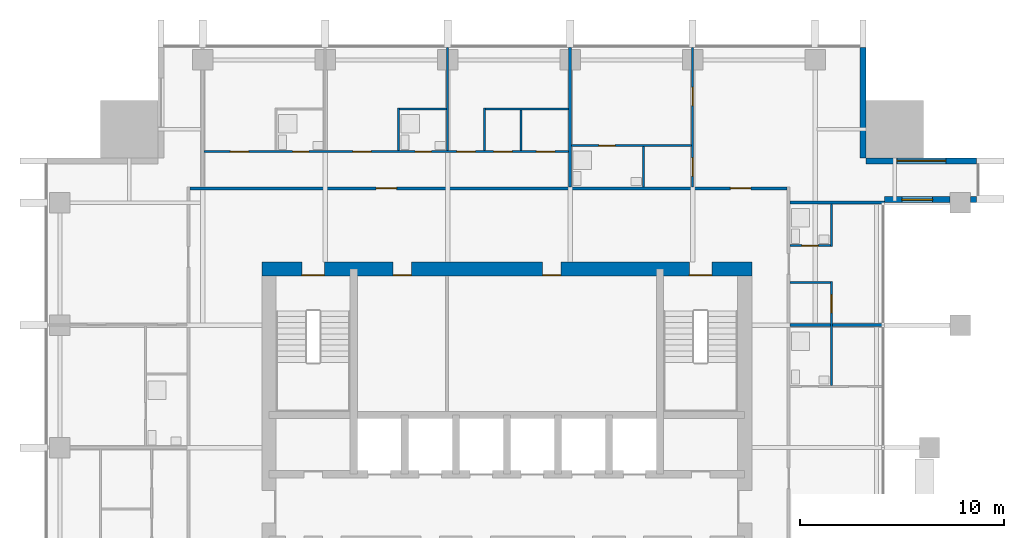
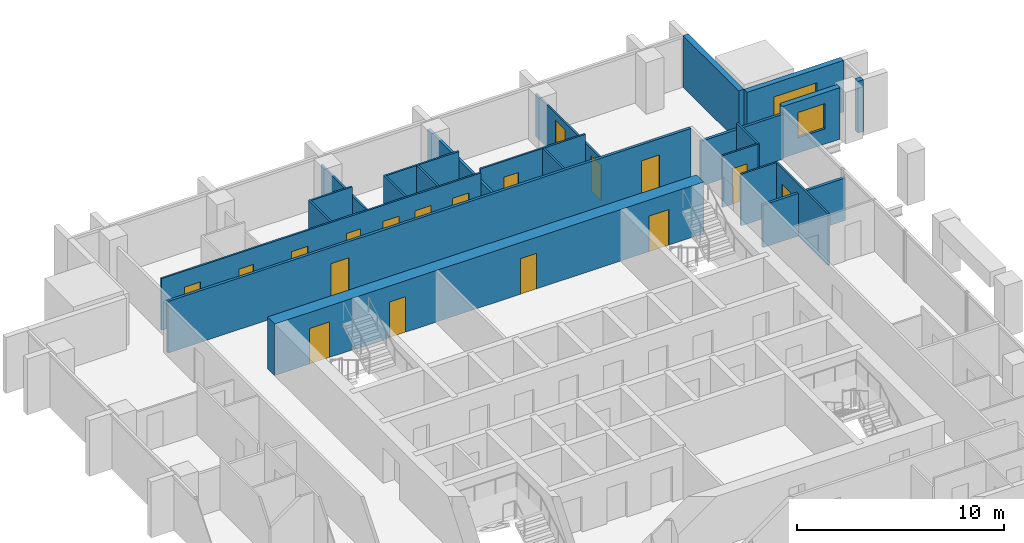
# One storey, part 11 of 14: 23 walls, 18 doors, 2 windows, 20 openings.
"""IFC4 building model written with IfcOpenShell, lengths in metres."""

from ifc_helpers import new_model, si_unit, direction, frame, frame_2d, origin, place, context, subcontext, project, spatial, rectangle, extrude, material, layer, layer_set, type_object, element, fill, save


model = new_model("IFC4")

# Units and contexts
model_context = context("Model", 3, precision=1e-05, world=origin(), true_north=direction((0.0, 1.0)))
body_context = subcontext(model_context, "Body", "Model", "MODEL_VIEW")
ifc_project = project(units=[si_unit("LENGTHUNIT", "METRE"), si_unit("AREAUNIT", "SQUARE_METRE"), si_unit("VOLUMEUNIT", "CUBIC_METRE"), si_unit("PLANEANGLEUNIT", "RADIAN"), si_unit("MASSUNIT", "GRAM", prefix="KILO")], contexts=[model_context])

# Site, building, storey
site_placement = place(None, origin())
site = spatial("IfcSite", under=ifc_project, at=site_placement, CompositionType="ELEMENT")
building_placement = place(site_placement, origin())
building = spatial("IfcBuilding", under=site, at=building_placement, Name="Amberfall Residences", CompositionType="ELEMENT")
storey_placement = place(building_placement, frame((0.0, 0.0, 168.10009765625)))
storey = spatial("IfcBuildingStorey", under=building, at=storey_placement, Name="L45", CompositionType="ELEMENT", Elevation=168.10009765625)

# Wall, opening, window
ifc_material_1 = material(Name="Pale stone cladding on insulated backing", Category="masonry")
ifc_layer_1 = layer(ifc_material_1, 0.300048828125)
ifc_layer_set_1 = layer_set([ifc_layer_1], Name="Bronze clad wall 300")
wall_type_1 = type_object("IfcWallType", Name="Bronze clad wall 300", PredefinedType="SOLIDWALL", material=ifc_layer_set_1)
wall_1_placement = place(storey_placement, frame((93.0, 60.550048828125, 0.0), z_axis=(0.0, 0.0, 1.0), x_axis=(1.0, 0.0, 0.0)))
wall_1 = element("IfcWall", 1, at=wall_1_placement, inside=storey, type_object=wall_type_1, Name="External wall L45 E", PredefinedType="SOLIDWALL", context=body_context, shape_type="SweptSolid", body=[
    extrude(rectangle(XDim=3.199951171875, YDim=0.300048828125, at=frame_2d((1.60009765625, 0.0))), origin(), (0.0, 0.0, 1.0), 3.0498046875),
])
opening_1_placement = place(wall_1_placement, frame((0.85009765625, 0.0, 0.89990234375)))
opening_1 = element("IfcOpeningElement", 2, at=opening_1_placement, cuts=wall_1, Name="Opening WN1", PredefinedType="OPENING", context=body_context, shape_type="SweptSolid", body=[
    extrude(rectangle(XDim=1.5, YDim=1.5, at=frame_2d((0.75, 0.75))), frame((0.0, 0.159912109375, 0.0), z_axis=(0.0, -1.0, 0.0), x_axis=(1.0, 0.0, 0.0)), (0.0, 0.0, 1.0), 0.320068359375),
])
ifc_material_2 = material(Name="Bronze aluminium framed glazing", Category="aluminium")
window_type_1 = type_object("IfcWindowType", Name="Window 1500 x 1500 bronze", PartitioningType="DOUBLE_PANEL_VERTICAL", PredefinedType="WINDOW", material=ifc_material_2)
window_1_placement = place(opening_1_placement, origin())
window_1 = element("IfcWindow", 3, at=window_1_placement, inside=storey, type_object=window_type_1, Name="Window L45 E", OverallHeight=1.5, OverallWidth=1.5, PartitioningType="DOUBLE_PANEL_VERTICAL", PredefinedType="WINDOW", context=body_context, shape_type="SweptSolid", body=[
    extrude(rectangle(XDim=1.5, YDim=1.5, at=frame_2d((0.75, 0.75))), frame((0.0, 0.030029296875, 0.0), z_axis=(0.0, -1.0, 0.0), x_axis=(1.0, 0.0, 0.0)), (0.0, 0.0, 1.0), 0.06005859375),
])
fill(opening_1, window_1)

# Wall
wall_2_placement = place(storey_placement, frame((97.199951171875, 60.550048828125, 0.0), z_axis=(0.0, 0.0, 1.0), x_axis=(1.0, 0.0, 0.0)))
element("IfcWall", 4, at=wall_2_placement, inside=storey, type_object=wall_type_1, Name="External wall L45 E", PredefinedType="SOLIDWALL", context=body_context, shape_type="SweptSolid", body=[
    extrude(rectangle(XDim=0.300048828125, YDim=0.300048828125, at=frame_2d((0.14990234375, 0.0))), origin(), (0.0, 0.0, 1.0), 3.0498046875),
])

# Wall, opening, window
wall_3_placement = place(storey_placement, frame((97.5, 62.449951171875, 0.0), z_axis=(0.0, 0.0, 1.0), x_axis=(-1.0, 0.0, 0.0)))
wall_3 = element("IfcWall", 5, at=wall_3_placement, inside=storey, type_object=wall_type_1, Name="External wall L45 NE", PredefinedType="SOLIDWALL", context=body_context, shape_type="SweptSolid", body=[
    extrude(rectangle(XDim=5.39990234375, YDim=0.300048828125, at=frame_2d((2.699951171875, 0.0))), origin(), (0.0, 0.0, 1.0), 3.0498046875),
])
opening_2_placement = place(wall_3_placement, frame((1.5, 0.0, 0.14990234375)))
opening_2 = element("IfcOpeningElement", 6, at=opening_2_placement, cuts=wall_3, Name="Opening WN5", PredefinedType="OPENING", context=body_context, shape_type="SweptSolid", body=[
    extrude(rectangle(XDim=2.39990234375, YDim=2.10009765625, at=frame_2d((1.199951171875, 1.050048828125))), frame((0.0, 0.159912109375, 0.0), z_axis=(0.0, -1.0, 0.0), x_axis=(1.0, 0.0, 0.0)), (0.0, 0.0, 1.0), 0.320068359375),
])
window_type_2 = type_object("IfcWindowType", Name="Glazed opening 2400 x 2100 bronze", PartitioningType="DOUBLE_PANEL_VERTICAL", PredefinedType="WINDOW", material=ifc_material_2)
window_2_placement = place(opening_2_placement, origin())
window_2 = element("IfcWindow", 7, at=window_2_placement, inside=storey, type_object=window_type_2, Name="Window L45 NE", OverallHeight=2.10009765625, OverallWidth=2.39990234375, PartitioningType="DOUBLE_PANEL_VERTICAL", PredefinedType="WINDOW", context=body_context, shape_type="SweptSolid", body=[
    extrude(rectangle(XDim=2.39990234375, YDim=2.10009765625, at=frame_2d((1.199951171875, 1.050048828125))), frame((0.0, 0.030029296875, 0.0), z_axis=(0.0, -1.0, 0.0), x_axis=(1.0, 0.0, 0.0)), (0.0, 0.0, 1.0), 0.06005859375),
])
fill(opening_2, window_2)

# Wall
wall_4_placement = place(storey_placement, frame((91.949951171875, 62.60009765625, 0.0), z_axis=(0.0, 0.0, 1.0), x_axis=(0.0, 1.0, 0.0)))
element("IfcWall", 8, at=wall_4_placement, inside=storey, type_object=wall_type_1, Name="External wall L45 NE", PredefinedType="SOLIDWALL", context=body_context, shape_type="SweptSolid", body=[
    extrude(rectangle(XDim=5.39990234375, YDim=0.300048828125, at=frame_2d((2.699951171875, 0.0))), origin(), (0.0, 0.0, 1.0), 3.0498046875),
])

# Wall, openings, doors
ifc_material_3 = material(Name="Concrete C60", Category="concrete")
ifc_layer_2 = layer(ifc_material_3, 0.699951171875)
ifc_layer_set_2 = layer_set([ifc_layer_2], Name="Core wall 700 C60")
wall_type_2 = type_object("IfcWallType", Name="Core wall 700 C60", PredefinedType="SHEAR", material=ifc_layer_set_2)
wall_5_placement = place(storey_placement, frame((62.5, 57.14990234375, 0.0), z_axis=(0.0, 0.0, 1.0), x_axis=(1.0, 0.0, 0.0)))
wall_5 = element("IfcWall", 9, at=wall_5_placement, inside=storey, type_object=wall_type_2, Name="Core wall RW5 L45 ON", PredefinedType="SHEAR", context=body_context, shape_type="SweptSolid", body=[
    extrude(rectangle(XDim=24.0, YDim=0.699951171875, at=frame_2d((12.0, 0.0))), origin(), (0.0, 0.0, 1.0), 3.0498046875),
])
opening_3_placement = place(wall_5_placement, frame((20.9375, 0.0, 0.0)))
opening_3 = element("IfcOpeningElement", 10, at=opening_3_placement, cuts=wall_5, Name="Opening SD1", PredefinedType="OPENING", context=body_context, shape_type="SweptSolid", body=[
    extrude(rectangle(XDim=1.10009765625, YDim=2.10009765625, at=frame_2d((0.550048828125, 1.050048828125))), frame((0.0, 0.35986328125, 0.0), z_axis=(0.0, -1.0, 0.0), x_axis=(1.0, 0.0, 0.0)), (0.0, 0.0, 1.0), 0.719970703125),
])
opening_4_placement = place(wall_5_placement, frame((1.96240234375, 0.0, 0.0)))
opening_4 = element("IfcOpeningElement", 11, at=opening_4_placement, cuts=wall_5, Name="Opening SD1", PredefinedType="OPENING", context=body_context, shape_type="SweptSolid", body=[
    extrude(rectangle(XDim=1.10009765625, YDim=2.10009765625, at=frame_2d((0.550048828125, 1.050048828125))), frame((0.0, 0.35986328125, 0.0), z_axis=(0.0, -1.0, 0.0), x_axis=(1.0, 0.0, 0.0)), (0.0, 0.0, 1.0), 0.719970703125),
])
opening_5_placement = place(wall_5_placement, frame((6.422607421875, 0.0, 0.0)))
opening_5 = element("IfcOpeningElement", 12, at=opening_5_placement, cuts=wall_5, Name="Opening RD1", PredefinedType="OPENING", context=body_context, shape_type="SweptSolid", body=[
    extrude(rectangle(XDim=0.89990234375, YDim=2.10009765625, at=frame_2d((0.449951171875, 1.050048828125))), frame((0.0, 0.35986328125, 0.0), z_axis=(0.0, -1.0, 0.0), x_axis=(1.0, 0.0, 0.0)), (0.0, 0.0, 1.0), 0.719970703125),
])
opening_6_placement = place(wall_5_placement, frame((13.74755859375, 0.0, 0.0)))
opening_6 = element("IfcOpeningElement", 13, at=opening_6_placement, cuts=wall_5, Name="Opening RD1", PredefinedType="OPENING", context=body_context, shape_type="SweptSolid", body=[
    extrude(rectangle(XDim=0.89990234375, YDim=2.10009765625, at=frame_2d((0.449951171875, 1.050048828125))), frame((0.0, 0.35986328125, 0.0), z_axis=(0.0, -1.0, 0.0), x_axis=(1.0, 0.0, 0.0)), (0.0, 0.0, 1.0), 0.719970703125),
])
ifc_material_4 = material(Name="Steel fire door set", Category="steel")
door_type_1 = type_object("IfcDoorType", Name="Service room door 900 x 2100", OperationType="SINGLE_SWING_LEFT", PredefinedType="DOOR", material=ifc_material_4)
door_1_placement = place(opening_5_placement, origin())
door_1 = element("IfcDoor", 14, at=door_1_placement, inside=storey, type_object=door_type_1, Name="RD1 L45", OperationType="SINGLE_SWING_RIGHT", OverallHeight=2.10009765625, OverallWidth=0.89990234375, PredefinedType="DOOR", context=body_context, shape_type="SweptSolid", body=[
    extrude(rectangle(XDim=0.89990234375, YDim=2.10009765625, at=frame_2d((0.449951171875, 1.050048828125))), frame((0.0, -0.28759765625, 0.0), z_axis=(0.0, -1.0, 0.0), x_axis=(1.0, 0.0, 0.0)), (0.0, 0.0, 1.0), 0.050048828125),
])
fill(opening_5, door_1)
door_2_placement = place(opening_6_placement, origin())
door_2 = element("IfcDoor", 15, at=door_2_placement, inside=storey, type_object=door_type_1, Name="RD1 L45", OperationType="SINGLE_SWING_RIGHT", OverallHeight=2.10009765625, OverallWidth=0.89990234375, PredefinedType="DOOR", context=body_context, shape_type="SweptSolid", body=[
    extrude(rectangle(XDim=0.89990234375, YDim=2.10009765625, at=frame_2d((0.449951171875, 1.050048828125))), frame((0.0, -0.28759765625, 0.0), z_axis=(0.0, -1.0, 0.0), x_axis=(1.0, 0.0, 0.0)), (0.0, 0.0, 1.0), 0.050048828125),
])
fill(opening_6, door_2)
door_type_2 = type_object("IfcDoorType", Name="Stair door 1100 x 2100", OperationType="SINGLE_SWING_LEFT", PredefinedType="DOOR", material=ifc_material_4)
door_3_placement = place(opening_3_placement, origin())
door_3 = element("IfcDoor", 16, at=door_3_placement, inside=storey, type_object=door_type_2, Name="SD1 L45", OperationType="SINGLE_SWING_RIGHT", OverallHeight=2.10009765625, OverallWidth=1.10009765625, PredefinedType="DOOR", context=body_context, shape_type="SweptSolid", body=[
    extrude(rectangle(XDim=1.10009765625, YDim=2.10009765625, at=frame_2d((0.550048828125, 1.050048828125))), frame((0.0, -0.28759765625, 0.0), z_axis=(0.0, -1.0, 0.0), x_axis=(1.0, 0.0, 0.0)), (0.0, 0.0, 1.0), 0.050048828125),
])
fill(opening_3, door_3)
door_4_placement = place(opening_4_placement, origin())
door_4 = element("IfcDoor", 17, at=door_4_placement, inside=storey, type_object=door_type_2, Name="SD1 L45", OperationType="SINGLE_SWING_LEFT", OverallHeight=2.10009765625, OverallWidth=1.10009765625, PredefinedType="DOOR", context=body_context, shape_type="SweptSolid", body=[
    extrude(rectangle(XDim=1.10009765625, YDim=2.10009765625, at=frame_2d((0.550048828125, 1.050048828125))), frame((0.0, -0.28759765625, 0.0), z_axis=(0.0, -1.0, 0.0), x_axis=(1.0, 0.0, 0.0)), (0.0, 0.0, 1.0), 0.050048828125),
])
fill(opening_4, door_4)

# Walls
ifc_material_5 = material(Name="Gypsum board on metal stud")
ifc_layer_3 = layer(ifc_material_5, 0.10009765625)
ifc_layer_set_3 = layer_set([ifc_layer_3], Name="Flat partition 100")
wall_type_3 = type_object("IfcWallType", Name="Flat partition 100", PredefinedType="PARTITIONING", material=ifc_layer_set_3)
wall_6_placement = place(storey_placement, frame((69.199951171875, 62.949951171875, 0.0), z_axis=(0.0, 0.0, 1.0), x_axis=(0.0, 1.0, 0.0)))
element("IfcWall", 18, at=wall_6_placement, inside=storey, type_object=wall_type_3, Name="Partition 009", PredefinedType="PARTITIONING", context=body_context, shape_type="SweptSolid", body=[
    extrude(rectangle(XDim=2.10009765625, YDim=0.10009765625, at=frame_2d((1.050048828125, 0.0))), origin(), (0.0, 0.0, 1.0), 3.0498046875),
])
wall_7_placement = place(storey_placement, frame((71.60009765625, 62.949951171875, 0.0), z_axis=(0.0, 0.0, 1.0), x_axis=(0.0, 1.0, 0.0)))
element("IfcWall", 19, at=wall_7_placement, inside=storey, type_object=wall_type_3, Name="Partition 011", PredefinedType="PARTITIONING", context=body_context, shape_type="SweptSolid", body=[
    extrude(rectangle(XDim=5.050048828125, YDim=0.10009765625, at=frame_2d((2.52490234375, 0.0))), origin(), (0.0, 0.0, 1.0), 2.515869140625),
])
wall_8_placement = place(storey_placement, frame((73.39990234375, 62.949951171875, 0.0), z_axis=(0.0, 0.0, 1.0), x_axis=(0.0, 1.0, 0.0)))
element("IfcWall", 20, at=wall_8_placement, inside=storey, type_object=wall_type_3, Name="Partition 012", PredefinedType="PARTITIONING", context=body_context, shape_type="SweptSolid", body=[
    extrude(rectangle(XDim=2.10009765625, YDim=0.10009765625, at=frame_2d((1.050048828125, 0.0))), origin(), (0.0, 0.0, 1.0), 3.0498046875),
])
wall_9_placement = place(storey_placement, frame((75.199951171875, 62.949951171875, 0.0), z_axis=(0.0, 0.0, 1.0), x_axis=(0.0, 1.0, 0.0)))
element("IfcWall", 21, at=wall_9_placement, inside=storey, type_object=wall_type_3, Name="Partition 014", PredefinedType="PARTITIONING", context=body_context, shape_type="SweptSolid", body=[
    extrude(rectangle(XDim=2.0, YDim=0.10009765625, at=frame_2d((1.0, 0.0))), origin(), (0.0, 0.0, 1.0), 3.0498046875),
])
wall_10_placement = place(storey_placement, frame((81.199951171875, 61.175048828125, 0.0), z_axis=(0.0, 0.0, 1.0), x_axis=(0.0, 1.0, 0.0)))
element("IfcWall", 22, at=wall_10_placement, inside=storey, type_object=wall_type_3, Name="Partition 015", PredefinedType="PARTITIONING", context=body_context, shape_type="SweptSolid", body=[
    extrude(rectangle(XDim=1.974853515625, YDim=0.10009765625, at=frame_2d((0.9873046875, 0.0))), origin(), (0.0, 0.0, 1.0), 3.0498046875),
])

# Wall, openings, doors
wall_11_placement = place(storey_placement, frame((83.60009765625, 61.175048828125, 0.0), z_axis=(0.0, 0.0, 1.0), x_axis=(0.0, 1.0, 0.0)))
wall_11 = element("IfcWall", 23, at=wall_11_placement, inside=storey, type_object=wall_type_3, Name="Partition 017", PredefinedType="PARTITIONING", context=body_context, shape_type="SweptSolid", body=[
    extrude(rectangle(XDim=6.824951171875, YDim=0.10009765625, at=frame_2d((3.41259765625, 0.0))), origin(), (0.0, 0.0, 1.0), 2.515869140625),
])
opening_7_placement = place(wall_11_placement, frame((0.52490234375, 0.0, 0.0)))
opening_7 = element("IfcOpeningElement", 24, at=opening_7_placement, cuts=wall_11, Name="Opening D41", PredefinedType="OPENING", context=body_context, shape_type="SweptSolid", body=[
    extrude(rectangle(XDim=0.89990234375, YDim=2.10009765625, at=frame_2d((0.449951171875, 1.050048828125))), frame((0.0, 0.06005859375, 0.0), z_axis=(0.0, -1.0, 0.0), x_axis=(1.0, 0.0, 0.0)), (0.0, 0.0, 1.0), 0.1201171875),
])
opening_8_placement = place(wall_11_placement, frame((3.97509765625, 0.0, 0.0)))
opening_8 = element("IfcOpeningElement", 25, at=opening_8_placement, cuts=wall_11, Name="Opening D41", PredefinedType="OPENING", context=body_context, shape_type="SweptSolid", body=[
    extrude(rectangle(XDim=0.89990234375, YDim=2.10009765625, at=frame_2d((0.449951171875, 1.050048828125))), frame((0.0, 0.06005859375, 0.0), z_axis=(0.0, -1.0, 0.0), x_axis=(1.0, 0.0, 0.0)), (0.0, 0.0, 1.0), 0.1201171875),
])
ifc_material_6 = material(Name="Timber", Category="wood")
door_type_3 = type_object("IfcDoorType", Name="Internal door 900 x 2100", OperationType="SINGLE_SWING_LEFT", PredefinedType="DOOR", material=ifc_material_6)
door_5_placement = place(opening_7_placement, origin())
door_5 = element("IfcDoor", 26, at=door_5_placement, inside=storey, type_object=door_type_3, Name="Door 4507 kitchen", OperationType="SINGLE_SWING_LEFT", OverallHeight=2.10009765625, OverallWidth=0.89990234375, PredefinedType="DOOR", context=body_context, shape_type="SweptSolid", body=[
    extrude(rectangle(XDim=0.89990234375, YDim=2.10009765625, at=frame_2d((0.449951171875, 1.050048828125))), frame((0.0, 0.02490234375, 0.0), z_axis=(0.0, -1.0, 0.0), x_axis=(1.0, 0.0, 0.0)), (0.0, 0.0, 1.0), 0.050048828125),
])
fill(opening_7, door_5)
door_6_placement = place(opening_8_placement, origin())
door_6 = element("IfcDoor", 27, at=door_6_placement, inside=storey, type_object=door_type_3, Name="Door 4507 bedroom1", OperationType="SINGLE_SWING_LEFT", OverallHeight=2.10009765625, OverallWidth=0.89990234375, PredefinedType="DOOR", context=body_context, shape_type="SweptSolid", body=[
    extrude(rectangle(XDim=0.89990234375, YDim=2.10009765625, at=frame_2d((0.449951171875, 1.050048828125))), frame((0.0, 0.02490234375, 0.0), z_axis=(0.0, -1.0, 0.0), x_axis=(1.0, 0.0, 0.0)), (0.0, 0.0, 1.0), 0.050048828125),
])
fill(opening_8, door_6)

# Wall, opening, door
wall_12_placement = place(storey_placement, frame((90.39990234375, 51.449951171875, 0.0), z_axis=(0.0, 0.0, 1.0), x_axis=(0.0, 1.0, 0.0)))
wall_12 = element("IfcWall", 28, at=wall_12_placement, inside=storey, type_object=wall_type_3, Name="Partition 020", PredefinedType="PARTITIONING", context=body_context, shape_type="SweptSolid", body=[
    extrude(rectangle(XDim=5.10009765625, YDim=0.10009765625, at=frame_2d((2.550048828125, 0.0))), origin(), (0.0, 0.0, 1.0), 3.0498046875),
])
opening_9_placement = place(wall_12_placement, frame((3.550048828125, 0.0, 0.0)))
opening_9 = element("IfcOpeningElement", 29, at=opening_9_placement, cuts=wall_12, Name="Opening D41", PredefinedType="OPENING", context=body_context, shape_type="SweptSolid", body=[
    extrude(rectangle(XDim=0.89990234375, YDim=2.10009765625, at=frame_2d((0.449951171875, 1.050048828125))), frame((0.0, 0.06005859375, 0.0), z_axis=(0.0, -1.0, 0.0), x_axis=(1.0, 0.0, 0.0)), (0.0, 0.0, 1.0), 0.1201171875),
])
door_7_placement = place(opening_9_placement, origin())
door_7 = element("IfcDoor", 30, at=door_7_placement, inside=storey, type_object=door_type_3, Name="Door 4505 kitchen", OperationType="SINGLE_SWING_LEFT", OverallHeight=2.10009765625, OverallWidth=0.89990234375, PredefinedType="DOOR", context=body_context, shape_type="SweptSolid", body=[
    extrude(rectangle(XDim=0.89990234375, YDim=2.10009765625, at=frame_2d((0.449951171875, 1.050048828125))), frame((0.0, 0.02490234375, 0.0), z_axis=(0.0, -1.0, 0.0), x_axis=(1.0, 0.0, 0.0)), (0.0, 0.0, 1.0), 0.050048828125),
])
fill(opening_9, door_7)

# Walls
wall_13_placement = place(storey_placement, frame((90.39990234375, 58.25, 0.0), z_axis=(0.0, 0.0, 1.0), x_axis=(0.0, 1.0, 0.0)))
element("IfcWall", 31, at=wall_13_placement, inside=storey, type_object=wall_type_3, Name="Partition 021", PredefinedType="PARTITIONING", context=body_context, shape_type="SweptSolid", body=[
    extrude(rectangle(XDim=2.074951171875, YDim=0.10009765625, at=frame_2d((1.03759765625, 0.0))), origin(), (0.0, 0.0, 1.0), 3.0498046875),
])
wall_14_placement = place(storey_placement, frame((69.25, 65.0, 0.0), z_axis=(0.0, 0.0, 1.0), x_axis=(1.0, 0.0, 0.0)))
element("IfcWall", 32, at=wall_14_placement, inside=storey, type_object=wall_type_3, Name="Partition 023", PredefinedType="PARTITIONING", context=body_context, shape_type="SweptSolid", body=[
    extrude(rectangle(XDim=2.300048828125, YDim=0.10009765625, at=frame_2d((1.14990234375, 0.0))), origin(), (0.0, 0.0, 1.0), 3.0498046875),
])
wall_15_placement = place(storey_placement, frame((73.449951171875, 65.0, 0.0), z_axis=(0.0, 0.0, 1.0), x_axis=(1.0, 0.0, 0.0)))
element("IfcWall", 33, at=wall_15_placement, inside=storey, type_object=wall_type_3, Name="Partition 024", PredefinedType="PARTITIONING", context=body_context, shape_type="SweptSolid", body=[
    extrude(rectangle(XDim=4.074951171875, YDim=0.10009765625, at=frame_2d((2.03759765625, 0.0))), origin(), (0.0, 0.0, 1.0), 3.0498046875),
])

# Wall, opening, door
wall_16_placement = place(storey_placement, frame((83.550048828125, 63.199951171875, 0.0), z_axis=(0.0, 0.0, 1.0), x_axis=(-1.0, 0.0, 0.0)))
wall_16 = element("IfcWall", 34, at=wall_16_placement, inside=storey, type_object=wall_type_3, Name="Partition 025", PredefinedType="PARTITIONING", context=body_context, shape_type="SweptSolid", body=[
    extrude(rectangle(XDim=5.875, YDim=0.10009765625, at=frame_2d((2.9375, 0.0))), origin(), (0.0, 0.0, 1.0), 3.0498046875),
])
opening_10_placement = place(wall_16_placement, frame((3.75, 0.0, 0.0)))
opening_10 = element("IfcOpeningElement", 35, at=opening_10_placement, cuts=wall_16, Name="Opening D42", PredefinedType="OPENING", context=body_context, shape_type="SweptSolid", body=[
    extrude(rectangle(XDim=0.800048828125, YDim=2.10009765625, at=frame_2d((0.39990234375, 1.050048828125))), frame((0.0, 0.06005859375, 0.0), z_axis=(0.0, -1.0, 0.0), x_axis=(1.0, 0.0, 0.0)), (0.0, 0.0, 1.0), 0.1201171875),
])
door_type_4 = type_object("IfcDoorType", Name="Bathroom door 800 x 2100", OperationType="SINGLE_SWING_LEFT", PredefinedType="DOOR", material=ifc_material_6)
door_8_placement = place(opening_10_placement, origin())
door_8 = element("IfcDoor", 36, at=door_8_placement, inside=storey, type_object=door_type_4, Name="Door 4507 bath1", OperationType="SINGLE_SWING_LEFT", OverallHeight=2.10009765625, OverallWidth=0.800048828125, PredefinedType="DOOR", context=body_context, shape_type="SweptSolid", body=[
    extrude(rectangle(XDim=0.800048828125, YDim=2.10009765625, at=frame_2d((0.39990234375, 1.050048828125))), frame((0.0, 0.02490234375, 0.0), z_axis=(0.0, -1.0, 0.0), x_axis=(1.0, 0.0, 0.0)), (0.0, 0.0, 1.0), 0.050048828125),
])
fill(opening_10, door_8)

# Wall, openings, doors
wall_17_placement = place(storey_placement, frame((59.675048828125, 62.89990234375, 0.0), z_axis=(0.0, 0.0, 1.0), x_axis=(1.0, 0.0, 0.0)))
wall_17 = element("IfcWall", 37, at=wall_17_placement, inside=storey, type_object=wall_type_3, Name="Partition 026", PredefinedType="PARTITIONING", context=body_context, shape_type="SweptSolid", body=[
    extrude(rectangle(XDim=17.849853515625, YDim=0.10009765625, at=frame_2d((8.9248046875, 0.0))), origin(), (0.0, 0.0, 1.0), 3.0498046875),
])
opening_11_placement = place(wall_17_placement, frame((12.375, 0.0, 0.0)))
opening_11 = element("IfcOpeningElement", 38, at=opening_11_placement, cuts=wall_17, Name="Opening D41", PredefinedType="OPENING", context=body_context, shape_type="SweptSolid", body=[
    extrude(rectangle(XDim=0.89990234375, YDim=2.10009765625, at=frame_2d((0.449951171875, 1.050048828125))), frame((0.0, 0.06005859375, 0.0), z_axis=(0.0, -1.0, 0.0), x_axis=(1.0, 0.0, 0.0)), (0.0, 0.0, 1.0), 0.1201171875),
])
opening_12_placement = place(wall_17_placement, frame((16.27490234375, 0.0, 0.0)))
opening_12 = element("IfcOpeningElement", 39, at=opening_12_placement, cuts=wall_17, Name="Opening D41", PredefinedType="OPENING", context=body_context, shape_type="SweptSolid", body=[
    extrude(rectangle(XDim=0.89990234375, YDim=2.10009765625, at=frame_2d((0.449951171875, 1.050048828125))), frame((0.0, 0.06005859375, 0.0), z_axis=(0.0, -1.0, 0.0), x_axis=(1.0, 0.0, 0.0)), (0.0, 0.0, 1.0), 0.1201171875),
])
opening_13_placement = place(wall_17_placement, frame((14.175048828125, 0.0, 0.0)))
opening_13 = element("IfcOpeningElement", 40, at=opening_13_placement, cuts=wall_17, Name="Opening D41", PredefinedType="OPENING", context=body_context, shape_type="SweptSolid", body=[
    extrude(rectangle(XDim=0.89990234375, YDim=2.10009765625, at=frame_2d((0.449951171875, 1.050048828125))), frame((0.0, 0.06005859375, 0.0), z_axis=(0.0, -1.0, 0.0), x_axis=(1.0, 0.0, 0.0)), (0.0, 0.0, 1.0), 0.1201171875),
])
opening_14_placement = place(wall_17_placement, frame((1.27490234375, 0.0, 0.0)))
opening_14 = element("IfcOpeningElement", 41, at=opening_14_placement, cuts=wall_17, Name="Opening D41", PredefinedType="OPENING", context=body_context, shape_type="SweptSolid", body=[
    extrude(rectangle(XDim=0.89990234375, YDim=2.10009765625, at=frame_2d((0.449951171875, 1.050048828125))), frame((0.0, 0.06005859375, 0.0), z_axis=(0.0, -1.0, 0.0), x_axis=(1.0, 0.0, 0.0)), (0.0, 0.0, 1.0), 0.1201171875),
])
opening_15_placement = place(wall_17_placement, frame((7.27490234375, 0.0, 0.0)))
opening_15 = element("IfcOpeningElement", 42, at=opening_15_placement, cuts=wall_17, Name="Opening D41", PredefinedType="OPENING", context=body_context, shape_type="SweptSolid", body=[
    extrude(rectangle(XDim=0.89990234375, YDim=2.10009765625, at=frame_2d((0.449951171875, 1.050048828125))), frame((0.0, 0.06005859375, 0.0), z_axis=(0.0, -1.0, 0.0), x_axis=(1.0, 0.0, 0.0)), (0.0, 0.0, 1.0), 0.1201171875),
])
opening_16_placement = place(wall_17_placement, frame((4.324951171875, 0.0, 0.0)))
opening_16 = element("IfcOpeningElement", 43, at=opening_16_placement, cuts=wall_17, Name="Opening D42", PredefinedType="OPENING", context=body_context, shape_type="SweptSolid", body=[
    extrude(rectangle(XDim=0.800048828125, YDim=2.10009765625, at=frame_2d((0.39990234375, 1.050048828125))), frame((0.0, 0.06005859375, 0.0), z_axis=(0.0, -1.0, 0.0), x_axis=(1.0, 0.0, 0.0)), (0.0, 0.0, 1.0), 0.1201171875),
])
opening_17_placement = place(wall_17_placement, frame((10.324951171875, 0.0, 0.0)))
opening_17 = element("IfcOpeningElement", 44, at=opening_17_placement, cuts=wall_17, Name="Opening D42", PredefinedType="OPENING", context=body_context, shape_type="SweptSolid", body=[
    extrude(rectangle(XDim=0.800048828125, YDim=2.10009765625, at=frame_2d((0.39990234375, 1.050048828125))), frame((0.0, 0.06005859375, 0.0), z_axis=(0.0, -1.0, 0.0), x_axis=(1.0, 0.0, 0.0)), (0.0, 0.0, 1.0), 0.1201171875),
])
door_9_placement = place(opening_16_placement, origin())
door_9 = element("IfcDoor", 45, at=door_9_placement, inside=storey, type_object=door_type_4, Name="Door 4506 bath1", OperationType="SINGLE_SWING_LEFT", OverallHeight=2.10009765625, OverallWidth=0.800048828125, PredefinedType="DOOR", context=body_context, shape_type="SweptSolid", body=[
    extrude(rectangle(XDim=0.800048828125, YDim=2.10009765625, at=frame_2d((0.39990234375, 1.050048828125))), frame((0.0, 0.02490234375, 0.0), z_axis=(0.0, -1.0, 0.0), x_axis=(1.0, 0.0, 0.0)), (0.0, 0.0, 1.0), 0.050048828125),
])
fill(opening_16, door_9)
door_10_placement = place(opening_17_placement, origin())
door_10 = element("IfcDoor", 46, at=door_10_placement, inside=storey, type_object=door_type_4, Name="Door 4506 bath2", OperationType="SINGLE_SWING_LEFT", OverallHeight=2.10009765625, OverallWidth=0.800048828125, PredefinedType="DOOR", context=body_context, shape_type="SweptSolid", body=[
    extrude(rectangle(XDim=0.800048828125, YDim=2.10009765625, at=frame_2d((0.39990234375, 1.050048828125))), frame((0.0, 0.02490234375, 0.0), z_axis=(0.0, -1.0, 0.0), x_axis=(1.0, 0.0, 0.0)), (0.0, 0.0, 1.0), 0.050048828125),
])
fill(opening_17, door_10)
door_11_placement = place(opening_11_placement, origin())
door_11 = element("IfcDoor", 47, at=door_11_placement, inside=storey, type_object=door_type_3, Name="Door 4506 living", OperationType="SINGLE_SWING_LEFT", OverallHeight=2.10009765625, OverallWidth=0.89990234375, PredefinedType="DOOR", context=body_context, shape_type="SweptSolid", body=[
    extrude(rectangle(XDim=0.89990234375, YDim=2.10009765625, at=frame_2d((0.449951171875, 1.050048828125))), frame((0.0, 0.02490234375, 0.0), z_axis=(0.0, -1.0, 0.0), x_axis=(1.0, 0.0, 0.0)), (0.0, 0.0, 1.0), 0.050048828125),
])
fill(opening_11, door_11)
door_12_placement = place(opening_12_placement, origin())
door_12 = element("IfcDoor", 48, at=door_12_placement, inside=storey, type_object=door_type_3, Name="Door 4506 kitchen", OperationType="SINGLE_SWING_LEFT", OverallHeight=2.10009765625, OverallWidth=0.89990234375, PredefinedType="DOOR", context=body_context, shape_type="SweptSolid", body=[
    extrude(rectangle(XDim=0.89990234375, YDim=2.10009765625, at=frame_2d((0.449951171875, 1.050048828125))), frame((0.0, 0.02490234375, 0.0), z_axis=(0.0, -1.0, 0.0), x_axis=(1.0, 0.0, 0.0)), (0.0, 0.0, 1.0), 0.050048828125),
])
fill(opening_12, door_12)
door_13_placement = place(opening_13_placement, origin())
door_13 = element("IfcDoor", 49, at=door_13_placement, inside=storey, type_object=door_type_3, Name="Door 4506 utility", OperationType="SINGLE_SWING_LEFT", OverallHeight=2.10009765625, OverallWidth=0.89990234375, PredefinedType="DOOR", context=body_context, shape_type="SweptSolid", body=[
    extrude(rectangle(XDim=0.89990234375, YDim=2.10009765625, at=frame_2d((0.449951171875, 1.050048828125))), frame((0.0, 0.02490234375, 0.0), z_axis=(0.0, -1.0, 0.0), x_axis=(1.0, 0.0, 0.0)), (0.0, 0.0, 1.0), 0.050048828125),
])
fill(opening_13, door_13)
door_14_placement = place(opening_14_placement, origin())
door_14 = element("IfcDoor", 50, at=door_14_placement, inside=storey, type_object=door_type_3, Name="Door 4506 bedroom1", OperationType="SINGLE_SWING_LEFT", OverallHeight=2.10009765625, OverallWidth=0.89990234375, PredefinedType="DOOR", context=body_context, shape_type="SweptSolid", body=[
    extrude(rectangle(XDim=0.89990234375, YDim=2.10009765625, at=frame_2d((0.449951171875, 1.050048828125))), frame((0.0, 0.02490234375, 0.0), z_axis=(0.0, -1.0, 0.0), x_axis=(1.0, 0.0, 0.0)), (0.0, 0.0, 1.0), 0.050048828125),
])
fill(opening_14, door_14)
door_15_placement = place(opening_15_placement, origin())
door_15 = element("IfcDoor", 51, at=door_15_placement, inside=storey, type_object=door_type_3, Name="Door 4506 bedroom2", OperationType="SINGLE_SWING_LEFT", OverallHeight=2.10009765625, OverallWidth=0.89990234375, PredefinedType="DOOR", context=body_context, shape_type="SweptSolid", body=[
    extrude(rectangle(XDim=0.89990234375, YDim=2.10009765625, at=frame_2d((0.449951171875, 1.050048828125))), frame((0.0, 0.02490234375, 0.0), z_axis=(0.0, -1.0, 0.0), x_axis=(1.0, 0.0, 0.0)), (0.0, 0.0, 1.0), 0.050048828125),
])
fill(opening_15, door_15)

# Wall, opening, door
wall_18_placement = place(storey_placement, frame((88.375, 58.300048828125, 0.0), z_axis=(0.0, 0.0, 1.0), x_axis=(1.0, 0.0, 0.0)))
wall_18 = element("IfcWall", 52, at=wall_18_placement, inside=storey, type_object=wall_type_3, Name="Partition 027", PredefinedType="PARTITIONING", context=body_context, shape_type="SweptSolid", body=[
    extrude(rectangle(XDim=1.97509765625, YDim=0.10009765625, at=frame_2d((0.987548828125, 0.0))), origin(), (0.0, 0.0, 1.0), 3.0498046875),
])
opening_18_placement = place(wall_18_placement, frame((0.574951171875, 0.0, 0.0)))
opening_18 = element("IfcOpeningElement", 53, at=opening_18_placement, cuts=wall_18, Name="Opening D42", PredefinedType="OPENING", context=body_context, shape_type="SweptSolid", body=[
    extrude(rectangle(XDim=0.800048828125, YDim=2.10009765625, at=frame_2d((0.39990234375, 1.050048828125))), frame((0.0, 0.06005859375, 0.0), z_axis=(0.0, -1.0, 0.0), x_axis=(1.0, 0.0, 0.0)), (0.0, 0.0, 1.0), 0.1201171875),
])
door_16_placement = place(opening_18_placement, origin())
door_16 = element("IfcDoor", 54, at=door_16_placement, inside=storey, type_object=door_type_4, Name="Door 4505 bath1", OperationType="SINGLE_SWING_LEFT", OverallHeight=2.10009765625, OverallWidth=0.800048828125, PredefinedType="DOOR", context=body_context, shape_type="SweptSolid", body=[
    extrude(rectangle(XDim=0.800048828125, YDim=2.10009765625, at=frame_2d((0.39990234375, 1.050048828125))), frame((0.0, 0.02490234375, 0.0), z_axis=(0.0, -1.0, 0.0), x_axis=(1.0, 0.0, 0.0)), (0.0, 0.0, 1.0), 0.050048828125),
])
fill(opening_18, door_16)

# Walls
wall_19_placement = place(storey_placement, frame((88.375, 56.5, 0.0), z_axis=(0.0, 0.0, 1.0), x_axis=(1.0, 0.0, 0.0)))
element("IfcWall", 55, at=wall_19_placement, inside=storey, type_object=wall_type_3, Name="Partition 028", PredefinedType="PARTITIONING", context=body_context, shape_type="SweptSolid", body=[
    extrude(rectangle(XDim=1.97509765625, YDim=0.10009765625, at=frame_2d((0.987548828125, 0.0))), origin(), (0.0, 0.0, 1.0), 3.0498046875),
])
ifc_material_7 = material(Name="Blockwork, plastered", Category="masonry")
ifc_layer_4 = layer(ifc_material_7, 0.14990234375)
ifc_layer_set_4 = layer_set([ifc_layer_4], Name="Flat separating wall 150")
wall_type_4 = type_object("IfcWallType", Name="Flat separating wall 150", PredefinedType="PARTITIONING", material=ifc_layer_set_4)
wall_20_placement = place(storey_placement, frame((77.60009765625, 61.175048828125, 0.0), z_axis=(0.0, 0.0, 1.0), x_axis=(0.0, 1.0, 0.0)))
element("IfcWall", 56, at=wall_20_placement, inside=storey, type_object=wall_type_4, Name="Separating wall 048", PredefinedType="PARTITIONING", context=body_context, shape_type="SweptSolid", body=[
    extrude(rectangle(XDim=6.824951171875, YDim=0.14990234375, at=frame_2d((3.41259765625, 0.0))), origin(), (0.0, 0.0, 1.0), 2.515869140625),
])

# Wall, openings, doors
wall_21_placement = place(storey_placement, frame((58.97509765625, 61.10009765625, 0.0), z_axis=(0.0, 0.0, 1.0), x_axis=(1.0, 0.0, 0.0)))
wall_21 = element("IfcWall", 57, at=wall_21_placement, inside=storey, type_object=wall_type_4, Name="Separating wall 051", PredefinedType="PARTITIONING", context=body_context, shape_type="SweptSolid", body=[
    extrude(rectangle(XDim=29.25, YDim=0.14990234375, at=frame_2d((14.625, 0.0))), origin(), (0.0, 0.0, 1.0), 3.0498046875),
])
opening_19_placement = place(wall_21_placement, frame((9.125, 0.0, 0.0)))
opening_19 = element("IfcOpeningElement", 58, at=opening_19_placement, cuts=wall_21, Name="Opening D40", PredefinedType="OPENING", context=body_context, shape_type="SweptSolid", body=[
    extrude(rectangle(XDim=1.0, YDim=2.10009765625, at=frame_2d((0.5, 1.050048828125))), frame((0.0, 0.0849609375, 0.0), z_axis=(0.0, -1.0, 0.0), x_axis=(1.0, 0.0, 0.0)), (0.0, 0.0, 1.0), 0.169921875),
])
opening_20_placement = place(wall_21_placement, frame((26.47509765625, 0.0, 0.0)))
opening_20 = element("IfcOpeningElement", 59, at=opening_20_placement, cuts=wall_21, Name="Opening D40", PredefinedType="OPENING", context=body_context, shape_type="SweptSolid", body=[
    extrude(rectangle(XDim=1.0, YDim=2.10009765625, at=frame_2d((0.5, 1.050048828125))), frame((0.0, 0.0849609375, 0.0), z_axis=(0.0, -1.0, 0.0), x_axis=(1.0, 0.0, 0.0)), (0.0, 0.0, 1.0), 0.169921875),
])
ifc_material_8 = material(Name="Timber, fire-rated", Category="wood")
door_type_5 = type_object("IfcDoorType", Name="Flat entrance door FD60 1000 x 2100", OperationType="SINGLE_SWING_LEFT", PredefinedType="DOOR", material=ifc_material_8)
door_17_placement = place(opening_19_placement, origin())
door_17 = element("IfcDoor", 60, at=door_17_placement, inside=storey, type_object=door_type_5, Name="Door 4506 entrance", OperationType="SINGLE_SWING_LEFT", OverallHeight=2.10009765625, OverallWidth=1.0, PredefinedType="DOOR", context=body_context, shape_type="SweptSolid", body=[
    extrude(rectangle(XDim=1.0, YDim=2.10009765625, at=frame_2d((0.5, 1.050048828125))), frame((0.0, 0.02490234375, 0.0), z_axis=(0.0, -1.0, 0.0), x_axis=(1.0, 0.0, 0.0)), (0.0, 0.0, 1.0), 0.050048828125),
])
fill(opening_19, door_17)
door_18_placement = place(opening_20_placement, origin())
door_18 = element("IfcDoor", 61, at=door_18_placement, inside=storey, type_object=door_type_5, Name="Door 4507 entrance", OperationType="SINGLE_SWING_LEFT", OverallHeight=2.10009765625, OverallWidth=1.0, PredefinedType="DOOR", context=body_context, shape_type="SweptSolid", body=[
    extrude(rectangle(XDim=1.0, YDim=2.10009765625, at=frame_2d((0.5, 1.050048828125))), frame((0.0, 0.02490234375, 0.0), z_axis=(0.0, -1.0, 0.0), x_axis=(1.0, 0.0, 0.0)), (0.0, 0.0, 1.0), 0.050048828125),
])
fill(opening_20, door_18)

# Walls
wall_22_placement = place(storey_placement, frame((88.375, 60.39990234375, 0.0), z_axis=(0.0, 0.0, 1.0), x_axis=(1.0, 0.0, 0.0)))
element("IfcWall", 62, at=wall_22_placement, inside=storey, type_object=wall_type_4, Name="Separating wall 052", PredefinedType="PARTITIONING", context=body_context, shape_type="SweptSolid", body=[
    extrude(rectangle(XDim=4.625, YDim=0.14990234375, at=frame_2d((2.3125, 0.0))), origin(), (0.0, 0.0, 1.0), 2.64697265625),
])
wall_23_placement = place(storey_placement, frame((88.375, 54.39990234375, 0.0), z_axis=(0.0, 0.0, 1.0), x_axis=(1.0, 0.0, 0.0)))
element("IfcWall", 63, at=wall_23_placement, inside=storey, type_object=wall_type_4, Name="Separating wall 053", PredefinedType="PARTITIONING", context=body_context, shape_type="SweptSolid", body=[
    extrude(rectangle(XDim=4.625, YDim=0.14990234375, at=frame_2d((2.3125, 0.0))), origin(), (0.0, 0.0, 1.0), 2.515869140625),
])

save(model, "model.ifc")
